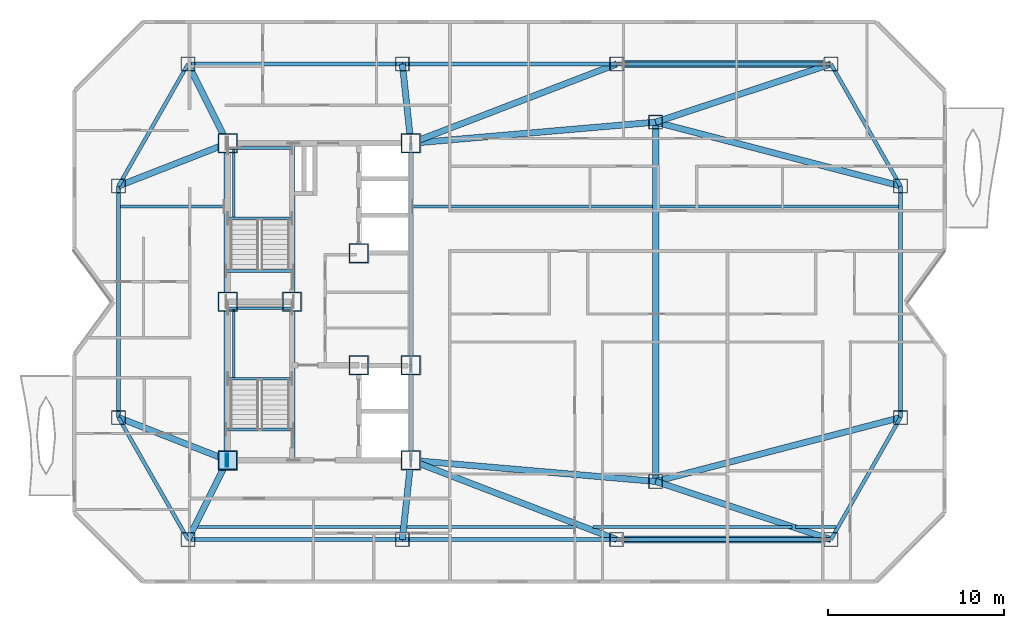
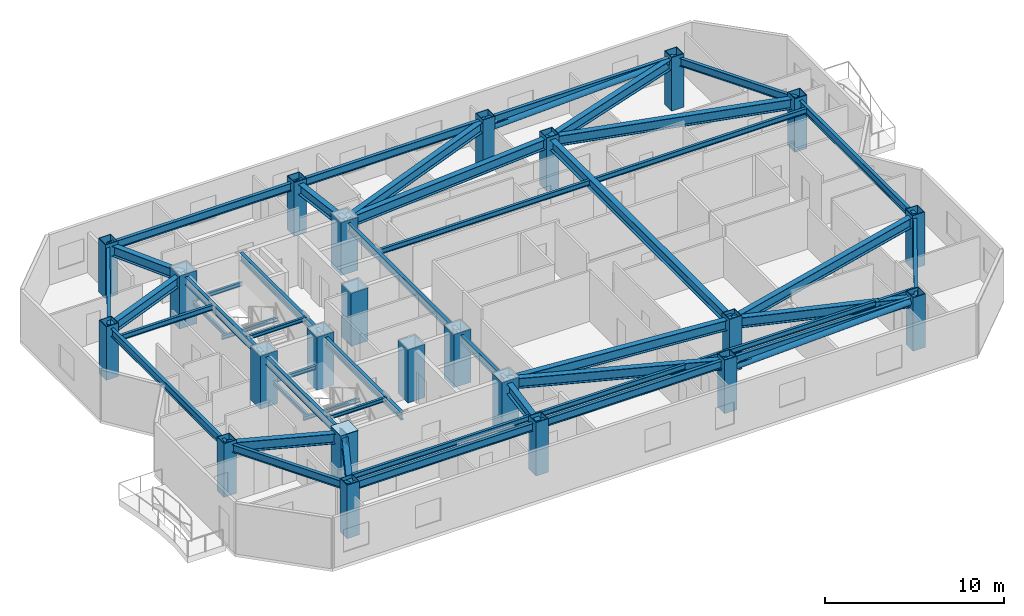
# One storey, part 1 of 10: 48 beams, 23 columns, 3 plates, 2 members.
"""IFC4 building model written with IfcOpenShell, lengths in metres."""

from ifc_helpers import new_model, si_unit, direction, frame, origin, origin_2d, place, context, subcontext, project, spatial, rectangle, hollow_rectangle, hollow_circle, i_section, extrude, material, layer, layer_set, material_profile, profile_set, type_object, element, save


model = new_model("IFC4")

# Units and contexts
model_context = context("Model", 3, precision=1e-05, world=origin(), true_north=direction((0.0, 1.0)))
body_context = subcontext(model_context, "Body", "Model", "MODEL_VIEW")
ifc_project = project(units=[si_unit("LENGTHUNIT", "METRE"), si_unit("AREAUNIT", "SQUARE_METRE"), si_unit("VOLUMEUNIT", "CUBIC_METRE"), si_unit("PLANEANGLEUNIT", "RADIAN"), si_unit("MASSUNIT", "GRAM", prefix="KILO")], contexts=[model_context])

# Site, building, storey
site_placement = place(None, origin())
site = spatial("IfcSite", under=ifc_project, at=site_placement, CompositionType="ELEMENT")
building_placement = place(site_placement, origin())
building = spatial("IfcBuilding", under=site, at=building_placement, Name="Khamvora Tower", CompositionType="ELEMENT")
storey_placement = place(building_placement, frame((0.0, 0.0, 228.14990234375)))
storey = spatial("IfcBuildingStorey", under=building, at=storey_placement, Name="L58", CompositionType="ELEMENT", Elevation=228.14990234375)

# Columns
ifc_material_1 = material(Name="Steel S460", Category="steel")
ifc_material_profile_1 = material_profile(ifc_material_1, hollow_rectangle(XDim=1.10009765625, YDim=1.10009765625, WallThickness=0.054931640625, at=origin_2d()), Name="BOX1100x1100x55")
ifc_profile_set_1 = profile_set([ifc_material_profile_1], Name="Steel S460")
column_type_1 = type_object("IfcColumnType", Name="COL-BOX1100", PredefinedType="COLUMN", material=ifc_profile_set_1)
for number, where, z_axis, x_axis, name in (
    (1, (29.0, 19.0, 0.0), (0.0, 0.0, 1.0), (1.0, 0.0, 0.0), "L58 plumb core spine column SC1"),
    (2, (32.64990234375, 28.0, 0.0), (0.0, 0.0, 1.0), (1.0, 0.0, 0.0), "L58 plumb core spine column SC2"),
    (3, (39.39990234375, 19.0, 0.0), (0.0, 0.0, 1.0), (1.0, 0.0, 0.0), "L58 plumb core spine column SC3"),
    (4, (29.0, 28.0, 0.0), (0.0, 0.0, 1.0), (1.0, 0.0, 0.0), "L58 plumb core spine column SC4"),
    (5, (36.449951171875, 24.39990234375, 0.0), (0.0, 0.0, 1.0), (1.0, 0.0, 0.0), "L58 plumb core spine column SC5"),
    (6, (39.39990234375, 24.39990234375, 0.0), (0.0, 0.0, 1.0), (1.0, 0.0, 0.0), "L58 plumb core spine column SC6"),
    (7, (29.0, 37.0, 0.0), (0.0, 0.0, 1.0), (1.0, 0.0, 0.0), "L58 plumb core spine column SC7"),
    (8, (36.449951171875, 30.75, 0.0), (0.0, 0.0, 1.0), (1.0, 0.0, 0.0), "L58 plumb core spine column SC8"),
    (9, (39.39990234375, 37.0, 0.0), (0.0, 0.0, 1.0), (1.0, 0.0, 0.0), "L58 plumb core spine column SC9"),
):
    element("IfcColumn", number, at=place(storey_placement, frame(where, z_axis=z_axis, x_axis=x_axis)), inside=storey, type_object=column_type_1, Name=name, PredefinedType="COLUMN", context=body_context, shape_type="SweptSolid", body=[
        extrude(hollow_rectangle(XDim=1.10009765625, YDim=1.10009765625, WallThickness=0.054931640625, at=origin_2d()), origin(), (0.0, 0.0, 1.0), 3.625),
    ])
ifc_material_2 = material(Name="Steel S355", Category="steel")
ifc_material_profile_2 = material_profile(ifc_material_2, hollow_rectangle(XDim=0.800048828125, YDim=0.800048828125, WallThickness=0.0400390625, at=origin_2d()), Name="BOX800x800x40")
ifc_profile_set_2 = profile_set([ifc_material_profile_2], Name="Steel S355")
column_type_2 = type_object("IfcColumnType", Name="COL-BOX800", PredefinedType="COLUMN", material=ifc_profile_set_2)
for number, where, z_axis, x_axis, name in (
    (10, (26.75, 14.5, 0.0), (0.0, 0.0, 1.0), (1.0, 0.0, 0.0), "L58 structural frame column S1"),
    (11, (38.9169921875, 14.5, 0.0), (0.0, 0.0, 1.0), (1.0, 0.0, 0.0), "L58 structural frame column S2"),
    (12, (51.0830078125, 14.5, 0.0), (0.0, 0.0, 1.0), (1.0, 0.0, 0.0), "L58 structural frame column S3"),
    (13, (63.25, 14.5, 0.0), (0.0, 0.0, 1.0), (1.0, 0.0, 0.0), "L58 structural frame column S4"),
    (14, (26.75, 41.5, 0.0), (0.0, 0.0, 1.0), (1.0, 0.0, 0.0), "L58 structural frame column N1"),
    (15, (38.9169921875, 41.5, 0.0), (0.0, 0.0, 1.0), (1.0, 0.0, 0.0), "L58 structural frame column N2"),
    (16, (51.0830078125, 41.5, 0.0), (0.0, 0.0, 1.0), (1.0, 0.0, 0.0), "L58 structural frame column N3"),
    (17, (63.25, 41.5, 0.0), (0.0, 0.0, 1.0), (1.0, 0.0, 0.0), "L58 structural frame column N4"),
    (18, (22.800048828125, 21.425048828125, 0.0), (0.0, 0.0, 1.0), (1.0, 0.0, 0.0), "L58 structural frame column W1"),
    (19, (22.800048828125, 34.574951171875, 0.0), (0.0, 0.0, 1.0), (1.0, 0.0, 0.0), "L58 structural frame column W2"),
    (20, (67.199951171875, 21.425048828125, 0.0), (0.0, 0.0, 1.0), (1.0, 0.0, 0.0), "L58 structural frame column E1"),
    (21, (67.199951171875, 34.574951171875, 0.0), (0.0, 0.0, 1.0), (1.0, 0.0, 0.0), "L58 structural frame column E2"),
    (22, (53.300048828125, 17.800048828125, 0.0), (0.0, 0.0, 1.0), (1.0, 0.0, 0.0), "L58 structural frame column M1"),
    (23, (53.300048828125, 38.199951171875, 0.0), (0.0, 0.0, 1.0), (1.0, 0.0, 0.0), "L58 structural frame column M2"),
):
    element("IfcColumn", number, at=place(storey_placement, frame(where, z_axis=z_axis, x_axis=x_axis)), inside=storey, type_object=column_type_2, Name=name, PredefinedType="COLUMN", context=body_context, shape_type="SweptSolid", body=[
        extrude(hollow_rectangle(XDim=0.800048828125, YDim=0.800048828125, WallThickness=0.0400390625, at=origin_2d()), origin(), (0.0, 0.0, 1.0), 3.650146484375),
    ])

# Beams
ifc_material_profile_3 = material_profile(ifc_material_2, i_section(OverallWidth=0.1708984375, OverallDepth=0.35498046875, WebThickness=0.007080078125, FlangeThickness=0.011962890625, FilletRadius=0.010009765625, at=origin_2d()), Name="W360x51")
ifc_profile_set_3 = profile_set([ifc_material_profile_3], Name="Steel S355")
beam_type_1 = type_object("IfcBeamType", Name="BM-JS-W360x51", PredefinedType="JOIST", material=ifc_profile_set_3)
beam_1_placement = place(storey_placement, frame((27.29296875, 15.199951171875, 3.253173828125), z_axis=(1.0, 0.0, 0.0), x_axis=(0.0, 1.0, 0.0)))
element("IfcBeam", 24, at=beam_1_placement, inside=storey, type_object=beam_type_1, Name="L58 secondary floor joist 01", PredefinedType="JOIST", context=body_context, shape_type="SweptSolid", body=[
    extrude(i_section(OverallWidth=0.1708984375, OverallDepth=0.35498046875, WebThickness=0.007080078125, FlangeThickness=0.011962890625, FilletRadius=0.010009765625, at=origin_2d()), origin(), (0.0, 0.0, 1.0), 11.526123046875),
])
beam_2_placement = place(storey_placement, frame((39.166015625, 15.199951171875, 3.253173828125), z_axis=(1.0, 0.0, 0.0), x_axis=(0.0, 1.0, 0.0)))
element("IfcBeam", 25, at=beam_2_placement, inside=storey, type_object=beam_type_1, Name="L58 secondary floor joist 02", PredefinedType="JOIST", context=body_context, shape_type="SweptSolid", body=[
    extrude(i_section(OverallWidth=0.1708984375, OverallDepth=0.35498046875, WebThickness=0.007080078125, FlangeThickness=0.011962890625, FilletRadius=0.010009765625, at=origin_2d()), origin(), (0.0, 0.0, 1.0), 9.611083984375),
])
beam_3_placement = place(storey_placement, frame((49.75390625, 15.199951171875, 3.253173828125), z_axis=(1.0, 0.0, 0.0), x_axis=(0.0, 1.0, 0.0)))
element("IfcBeam", 26, at=beam_3_placement, inside=storey, type_object=beam_type_1, Name="L58 secondary floor joist 03", PredefinedType="JOIST", context=body_context, shape_type="SweptSolid", body=[
    extrude(i_section(OverallWidth=0.1708984375, OverallDepth=0.35498046875, WebThickness=0.007080078125, FlangeThickness=0.011962890625, FilletRadius=0.010009765625, at=origin_2d()), origin(), (0.0, 0.0, 1.0), 11.2900390625),
])
beam_4_placement = place(storey_placement, frame((61.23388671875, 15.199951171875, 3.253173828125), z_axis=(1.0, 0.0, 0.0), x_axis=(0.0, 1.0, 0.0)))
element("IfcBeam", 27, at=beam_4_placement, inside=storey, type_object=beam_type_1, Name="L58 secondary floor joist 04", PredefinedType="JOIST", context=body_context, shape_type="SweptSolid", body=[
    extrude(i_section(OverallWidth=0.1708984375, OverallDepth=0.35498046875, WebThickness=0.007080078125, FlangeThickness=0.011962890625, FilletRadius=0.010009765625, at=origin_2d()), origin(), (0.0, 0.0, 1.0), 2.300048828125),
])
beam_5_placement = place(storey_placement, frame((22.89892578125, 33.39990234375, 3.253173828125), z_axis=(1.0, 0.0, 0.0), x_axis=(0.0, 1.0, 0.0)))
element("IfcBeam", 28, at=beam_5_placement, inside=storey, type_object=beam_type_1, Name="L58 secondary floor joist 05", PredefinedType="JOIST", context=body_context, shape_type="SweptSolid", body=[
    extrude(i_section(OverallWidth=0.1708984375, OverallDepth=0.35498046875, WebThickness=0.007080078125, FlangeThickness=0.011962890625, FilletRadius=0.010009765625, at=origin_2d()), origin(), (0.0, 0.0, 1.0), 5.901123046875),
])
beam_6_placement = place(storey_placement, frame((39.4990234375, 33.39990234375, 3.253173828125), z_axis=(1.0, 0.0, 0.0), x_axis=(0.0, 1.0, 0.0)))
element("IfcBeam", 29, at=beam_6_placement, inside=storey, type_object=beam_type_1, Name="L58 secondary floor joist 06", PredefinedType="JOIST", context=body_context, shape_type="SweptSolid", body=[
    extrude(i_section(OverallWidth=0.1708984375, OverallDepth=0.35498046875, WebThickness=0.007080078125, FlangeThickness=0.011962890625, FilletRadius=0.010009765625, at=origin_2d()), origin(), (0.0, 0.0, 1.0), 13.6279296875),
])
beam_7_placement = place(storey_placement, frame((53.471923828125, 33.39990234375, 3.253173828125), z_axis=(1.0, 0.0, 0.0), x_axis=(0.0, 1.0, 0.0)))
element("IfcBeam", 30, at=beam_7_placement, inside=storey, type_object=beam_type_1, Name="L58 secondary floor joist 07", PredefinedType="JOIST", context=body_context, shape_type="SweptSolid", body=[
    extrude(i_section(OverallWidth=0.1708984375, OverallDepth=0.35498046875, WebThickness=0.007080078125, FlangeThickness=0.011962890625, FilletRadius=0.010009765625, at=origin_2d()), origin(), (0.0, 0.0, 1.0), 13.628173828125),
])
ifc_material_profile_4 = material_profile(ifc_material_2, i_section(OverallWidth=0.14697265625, OverallDepth=0.261962890625, WebThickness=0.007080078125, FlangeThickness=0.010986328125, FilletRadius=0.008056640625, at=origin_2d()), Name="W250x39")
ifc_profile_set_4 = profile_set([ifc_material_profile_4], Name="Steel S355")
beam_type_2 = type_object("IfcBeamType", Name="BM-LN-W250x39", PredefinedType="LINTEL", material=ifc_profile_set_4)
for number, where, z_axis, x_axis, name in (
    (31, (29.0, 23.635009765625, 1.494140625), (1.0, 0.0, 0.0), (0.0, 1.0, 0.0), "L58 ST-01 half-landing support beam 1.1"),
    (32, (29.0, 27.6298828125, 1.494140625), (1.0, 0.0, 0.0), (0.0, 1.0, 0.0), "L58 ST-01 half-landing support beam 1.2"),
):
    element("IfcBeam", number, at=place(storey_placement, frame(where, z_axis=z_axis, x_axis=x_axis)), inside=storey, type_object=beam_type_2, Name=name, PredefinedType="LINTEL", context=body_context, shape_type="SweptSolid", body=[
        extrude(i_section(OverallWidth=0.14697265625, OverallDepth=0.261962890625, WebThickness=0.007080078125, FlangeThickness=0.010986328125, FilletRadius=0.008056640625, at=origin_2d()), origin(), (0.0, 0.0, 1.0), 3.64990234375),
    ])
beam_8_placement = place(storey_placement, frame((29.35009765625, 23.635009765625, 1.494140625), z_axis=(0.0, 1.0, 0.0), x_axis=(-1.0, 0.0, 0.0)))
element("IfcBeam", 33, at=beam_8_placement, inside=storey, type_object=beam_type_2, Name="L58 ST-01 half-landing edge stringer 1", PredefinedType="LINTEL", context=body_context, shape_type="SweptSolid", body=[
    extrude(i_section(OverallWidth=0.14697265625, OverallDepth=0.261962890625, WebThickness=0.007080078125, FlangeThickness=0.010986328125, FilletRadius=0.008056640625, at=origin_2d()), origin(), (0.0, 0.0, 1.0), 3.994873046875),
])
for number, where, z_axis, x_axis, name in (
    (34, (29.0, 32.735107421875, 1.494140625), (1.0, 0.0, 0.0), (0.0, 1.0, 0.0), "L58 ST-02 half-landing support beam 1.1"),
    (35, (29.0, 36.72998046875, 1.494140625), (1.0, 0.0, 0.0), (0.0, 1.0, 0.0), "L58 ST-02 half-landing support beam 1.2"),
):
    element("IfcBeam", number, at=place(storey_placement, frame(where, z_axis=z_axis, x_axis=x_axis)), inside=storey, type_object=beam_type_2, Name=name, PredefinedType="LINTEL", context=body_context, shape_type="SweptSolid", body=[
        extrude(i_section(OverallWidth=0.14697265625, OverallDepth=0.261962890625, WebThickness=0.007080078125, FlangeThickness=0.010986328125, FilletRadius=0.008056640625, at=origin_2d()), origin(), (0.0, 0.0, 1.0), 3.64990234375),
    ])
beam_9_placement = place(storey_placement, frame((29.35009765625, 32.735107421875, 1.494140625), z_axis=(0.0, 1.0, 0.0), x_axis=(-1.0, 0.0, 0.0)))
element("IfcBeam", 36, at=beam_9_placement, inside=storey, type_object=beam_type_2, Name="L58 ST-02 half-landing edge stringer 1", PredefinedType="LINTEL", context=body_context, shape_type="SweptSolid", body=[
    extrude(i_section(OverallWidth=0.14697265625, OverallDepth=0.261962890625, WebThickness=0.007080078125, FlangeThickness=0.010986328125, FilletRadius=0.008056640625, at=origin_2d()), origin(), (0.0, 0.0, 1.0), 3.994873046875),
])
for number, where, z_axis, x_axis, name in (
    (37, (28.89990234375, 20.75, 3.30419921875), (1.0, 0.0, 0.0), (0.0, 1.0, 0.0), "L58 exit stair ST-01 landing trimmer beam"),
    (38, (28.89990234375, 29.75, 3.30419921875), (1.0, 0.0, 0.0), (0.0, 1.0, 0.0), "L58 exit stair ST-02 landing trimmer beam"),
):
    element("IfcBeam", number, at=place(storey_placement, frame(where, z_axis=z_axis, x_axis=x_axis)), inside=storey, type_object=beam_type_2, Name=name, PredefinedType="LINTEL", context=body_context, shape_type="SweptSolid", body=[
        extrude(i_section(OverallWidth=0.14697265625, OverallDepth=0.261962890625, WebThickness=0.007080078125, FlangeThickness=0.010986328125, FilletRadius=0.008056640625, at=origin_2d()), origin(), (0.0, 0.0, 1.0), 3.830078125),
    ])
ifc_material_profile_5 = material_profile(ifc_material_2, i_section(OverallWidth=0.35498046875, OverallDepth=0.695068359375, WebThickness=0.014892578125, FlangeThickness=0.02490234375, FilletRadius=0.01611328125, at=origin_2d()), Name="W690x217")
ifc_profile_set_5 = profile_set([ifc_material_profile_5], Name="Steel S355")
beam_type_3 = type_object("IfcBeamType", Name="BM-PG-W690x217", PredefinedType="BEAM", material=ifc_profile_set_5)
beam_10_placement = place(storey_placement, frame((53.300048828125, 17.800048828125, 3.0830078125), z_axis=(0.0, 1.0, 0.0), x_axis=(-1.0, 0.0, 0.0)))
element("IfcBeam", 39, at=beam_10_placement, inside=storey, type_object=beam_type_3, Name="L58 longitudinal frame girder M1-M2", PredefinedType="BEAM", context=body_context, shape_type="SweptSolid", body=[
    extrude(i_section(OverallWidth=0.35498046875, OverallDepth=0.695068359375, WebThickness=0.014892578125, FlangeThickness=0.02490234375, FilletRadius=0.01611328125, at=origin_2d()), origin(), (0.0, 0.0, 1.0), 20.39990234375),
])
beam_11_placement = place(storey_placement, frame((29.0, 19.0, 3.0830078125), z_axis=(-0.4472135955, -0.894427191, 0.0), x_axis=(0.894427191, -0.4472135955, 0.0)))
element("IfcBeam", 40, at=beam_11_placement, inside=storey, type_object=beam_type_3, Name="L58 primary floor girder S1", PredefinedType="BEAM", context=body_context, shape_type="SweptSolid", body=[
    extrude(i_section(OverallWidth=0.35498046875, OverallDepth=0.695068359375, WebThickness=0.014892578125, FlangeThickness=0.02490234375, FilletRadius=0.01611328125, at=origin_2d()), origin(), (0.0, 0.0, 1.0), 5.03125),
])
beam_12_placement = place(storey_placement, frame((39.39990234375, 19.0, 3.0830078125), z_axis=(-0.106700735484, -0.994291181218, 0.0), x_axis=(0.994291181218, -0.106700735484, 0.0)))
element("IfcBeam", 41, at=beam_12_placement, inside=storey, type_object=beam_type_3, Name="L58 primary floor girder S2", PredefinedType="BEAM", context=body_context, shape_type="SweptSolid", body=[
    extrude(i_section(OverallWidth=0.35498046875, OverallDepth=0.695068359375, WebThickness=0.014892578125, FlangeThickness=0.02490234375, FilletRadius=0.01611328125, at=origin_2d()), origin(), (0.0, 0.0, 1.0), 4.52587890625),
])
beam_13_placement = place(storey_placement, frame((39.39990234375, 19.0, 3.0830078125), z_axis=(0.933171601475, -0.359431164759, 0.0), x_axis=(0.359431164759, 0.933171601475, 0.0)))
element("IfcBeam", 42, at=beam_13_placement, inside=storey, type_object=beam_type_3, Name="L58 primary floor girder S3", PredefinedType="BEAM", context=body_context, shape_type="SweptSolid", body=[
    extrude(i_section(OverallWidth=0.35498046875, OverallDepth=0.695068359375, WebThickness=0.014892578125, FlangeThickness=0.02490234375, FilletRadius=0.01611328125, at=origin_2d()), origin(), (0.0, 0.0, 1.0), 12.519775390625),
])
beam_14_placement = place(storey_placement, frame((53.300048828125, 17.800048828125, 3.0830078125), z_axis=(0.949157330029, -0.314802101092, 0.0), x_axis=(0.314802101092, 0.949157330029, 0.0)))
element("IfcBeam", 43, at=beam_14_placement, inside=storey, type_object=beam_type_3, Name="L58 primary floor girder S4", PredefinedType="BEAM", context=body_context, shape_type="SweptSolid", body=[
    extrude(i_section(OverallWidth=0.35498046875, OverallDepth=0.695068359375, WebThickness=0.014892578125, FlangeThickness=0.02490234375, FilletRadius=0.01611328125, at=origin_2d()), origin(), (0.0, 0.0, 1.0), 10.48291015625),
])
beam_15_placement = place(storey_placement, frame((29.0, 37.0, 3.0830078125), z_axis=(-0.4472135955, 0.894427191, 0.0), x_axis=(-0.894427191, -0.4472135955, 0.0)))
element("IfcBeam", 44, at=beam_15_placement, inside=storey, type_object=beam_type_3, Name="L58 primary floor girder N1", PredefinedType="BEAM", context=body_context, shape_type="SweptSolid", body=[
    extrude(i_section(OverallWidth=0.35498046875, OverallDepth=0.695068359375, WebThickness=0.014892578125, FlangeThickness=0.02490234375, FilletRadius=0.01611328125, at=origin_2d()), origin(), (0.0, 0.0, 1.0), 5.03125),
])
beam_16_placement = place(storey_placement, frame((39.39990234375, 37.0, 3.0830078125), z_axis=(-0.106700735484, 0.994291181218, 0.0), x_axis=(-0.994291181218, -0.106700735484, 0.0)))
element("IfcBeam", 45, at=beam_16_placement, inside=storey, type_object=beam_type_3, Name="L58 primary floor girder N2", PredefinedType="BEAM", context=body_context, shape_type="SweptSolid", body=[
    extrude(i_section(OverallWidth=0.35498046875, OverallDepth=0.695068359375, WebThickness=0.014892578125, FlangeThickness=0.02490234375, FilletRadius=0.01611328125, at=origin_2d()), origin(), (0.0, 0.0, 1.0), 4.52587890625),
])
beam_17_placement = place(storey_placement, frame((39.39990234375, 37.0, 3.0830078125), z_axis=(0.933171601475, 0.359431164759, 0.0), x_axis=(-0.359431164759, 0.933171601475, 0.0)))
element("IfcBeam", 46, at=beam_17_placement, inside=storey, type_object=beam_type_3, Name="L58 primary floor girder N3", PredefinedType="BEAM", context=body_context, shape_type="SweptSolid", body=[
    extrude(i_section(OverallWidth=0.35498046875, OverallDepth=0.695068359375, WebThickness=0.014892578125, FlangeThickness=0.02490234375, FilletRadius=0.01611328125, at=origin_2d()), origin(), (0.0, 0.0, 1.0), 12.519775390625),
])
beam_18_placement = place(storey_placement, frame((53.300048828125, 38.199951171875, 3.0830078125), z_axis=(0.949157330029, 0.314802101092, 0.0), x_axis=(-0.314802101092, 0.949157330029, 0.0)))
element("IfcBeam", 47, at=beam_18_placement, inside=storey, type_object=beam_type_3, Name="L58 primary floor girder N4", PredefinedType="BEAM", context=body_context, shape_type="SweptSolid", body=[
    extrude(i_section(OverallWidth=0.35498046875, OverallDepth=0.695068359375, WebThickness=0.014892578125, FlangeThickness=0.02490234375, FilletRadius=0.01611328125, at=origin_2d()), origin(), (0.0, 0.0, 1.0), 10.48291015625),
])
for number, where, z_axis, x_axis, name in (
    (48, (29.0, 19.0, 3.0830078125), (-0.931294712743, 0.36426660294, 0.0), (-0.36426660294, -0.931294712743, 0.0), "L58 primary floor girder W1"),
    (49, (29.0, 37.0, 3.0830078125), (-0.931294712743, -0.36426660294, 0.0), (0.36426660294, -0.931294712743, 0.0), "L58 primary floor girder W2"),
):
    element("IfcBeam", number, at=place(storey_placement, frame(where, z_axis=z_axis, x_axis=x_axis)), inside=storey, type_object=beam_type_3, Name=name, PredefinedType="BEAM", context=body_context, shape_type="SweptSolid", body=[
        extrude(i_section(OverallWidth=0.35498046875, OverallDepth=0.695068359375, WebThickness=0.014892578125, FlangeThickness=0.02490234375, FilletRadius=0.01611328125, at=origin_2d()), origin(), (0.0, 0.0, 1.0), 6.6572265625),
    ])
for number, where, z_axis, x_axis, name in (
    (50, (53.300048828125, 17.800048828125, 3.0830078125), (0.967635318494, 0.252352710314, 0.0), (-0.252352710314, 0.967635318494, 0.0), "L58 primary floor girder E1"),
    (51, (53.300048828125, 38.199951171875, 3.0830078125), (0.967635318494, -0.252352710314, 0.0), (0.252352710314, 0.967635318494, 0.0), "L58 primary floor girder E2"),
):
    element("IfcBeam", number, at=place(storey_placement, frame(where, z_axis=z_axis, x_axis=x_axis)), inside=storey, type_object=beam_type_3, Name=name, PredefinedType="BEAM", context=body_context, shape_type="SweptSolid", body=[
        extrude(i_section(OverallWidth=0.35498046875, OverallDepth=0.695068359375, WebThickness=0.014892578125, FlangeThickness=0.02490234375, FilletRadius=0.01611328125, at=origin_2d()), origin(), (0.0, 0.0, 1.0), 14.36474609375),
    ])
for number, where, z_axis, x_axis, name in (
    (52, (39.39990234375, 19.0, 3.0830078125), (0.996294564212, -0.08600663534, 0.0), (0.08600663534, 0.996294564212, 0.0), "L58 primary floor girder M1"),
    (53, (39.39990234375, 37.0, 3.0830078125), (0.996294564212, 0.08600663534, 0.0), (-0.08600663534, 0.996294564212, 0.0), "L58 primary floor girder M2"),
):
    element("IfcBeam", number, at=place(storey_placement, frame(where, z_axis=z_axis, x_axis=x_axis)), inside=storey, type_object=beam_type_3, Name=name, PredefinedType="BEAM", context=body_context, shape_type="SweptSolid", body=[
        extrude(i_section(OverallWidth=0.35498046875, OverallDepth=0.695068359375, WebThickness=0.014892578125, FlangeThickness=0.02490234375, FilletRadius=0.01611328125, at=origin_2d()), origin(), (0.0, 0.0, 1.0), 13.951904296875),
    ])
ifc_material_profile_6 = material_profile(ifc_material_2, i_section(OverallWidth=0.208984375, OverallDepth=0.532958984375, WebThickness=0.010009765625, FlangeThickness=0.01611328125, FilletRadius=0.013916015625, at=origin_2d()), Name="W530x92")
ifc_profile_set_6 = profile_set([ifc_material_profile_6], Name="Steel S355")
beam_type_4 = type_object("IfcBeamType", Name="BM-SP-W530x92", PredefinedType="SPANDREL", material=ifc_profile_set_6)
beam_19_placement = place(storey_placement, frame((22.800048828125, 21.425048828125, 3.1640625), z_axis=(0.495456118564, -0.868632968853, 0.0), x_axis=(0.868632968853, 0.495456118564, 0.0)))
element("IfcBeam", 54, at=beam_19_placement, inside=storey, type_object=beam_type_4, Name="L58 perimeter spandrel beam W1-S1", PredefinedType="SPANDREL", context=body_context, shape_type="SweptSolid", body=[
    extrude(i_section(OverallWidth=0.208984375, OverallDepth=0.532958984375, WebThickness=0.010009765625, FlangeThickness=0.01611328125, FilletRadius=0.013916015625, at=origin_2d()), origin(), (0.0, 0.0, 1.0), 7.972412109375),
])
beam_20_placement = place(storey_placement, frame((26.75, 14.5, 3.1640625), z_axis=(1.0, 0.0, 0.0), x_axis=(0.0, 1.0, 0.0)))
element("IfcBeam", 55, at=beam_20_placement, inside=storey, type_object=beam_type_4, Name="L58 perimeter spandrel beam S1-S2", PredefinedType="SPANDREL", context=body_context, shape_type="SweptSolid", body=[
    extrude(i_section(OverallWidth=0.208984375, OverallDepth=0.532958984375, WebThickness=0.010009765625, FlangeThickness=0.01611328125, FilletRadius=0.013916015625, at=origin_2d()), origin(), (0.0, 0.0, 1.0), 12.1669921875),
])
beam_21_placement = place(storey_placement, frame((38.9169921875, 14.5, 3.1640625), z_axis=(1.0, 0.0, 0.0), x_axis=(0.0, 1.0, 0.0)))
element("IfcBeam", 56, at=beam_21_placement, inside=storey, type_object=beam_type_4, Name="L58 perimeter spandrel beam S2-S3", PredefinedType="SPANDREL", context=body_context, shape_type="SweptSolid", body=[
    extrude(i_section(OverallWidth=0.208984375, OverallDepth=0.532958984375, WebThickness=0.010009765625, FlangeThickness=0.01611328125, FilletRadius=0.013916015625, at=origin_2d()), origin(), (0.0, 0.0, 1.0), 12.166015625),
])
beam_22_placement = place(storey_placement, frame((51.0830078125, 14.5, 3.1640625), z_axis=(1.0, 0.0, 0.0), x_axis=(0.0, 1.0, 0.0)))
element("IfcBeam", 57, at=beam_22_placement, inside=storey, type_object=beam_type_4, Name="L58 perimeter spandrel beam S3-S4", PredefinedType="SPANDREL", context=body_context, shape_type="SweptSolid", body=[
    extrude(i_section(OverallWidth=0.208984375, OverallDepth=0.532958984375, WebThickness=0.010009765625, FlangeThickness=0.01611328125, FilletRadius=0.013916015625, at=origin_2d()), origin(), (0.0, 0.0, 1.0), 12.1669921875),
])
beam_23_placement = place(storey_placement, frame((63.25, 14.5, 3.1640625), z_axis=(0.495456118564, 0.868632968853, 0.0), x_axis=(-0.868632968853, 0.495456118564, 0.0)))
element("IfcBeam", 58, at=beam_23_placement, inside=storey, type_object=beam_type_4, Name="L58 perimeter spandrel beam S4-E1", PredefinedType="SPANDREL", context=body_context, shape_type="SweptSolid", body=[
    extrude(i_section(OverallWidth=0.208984375, OverallDepth=0.532958984375, WebThickness=0.010009765625, FlangeThickness=0.01611328125, FilletRadius=0.013916015625, at=origin_2d()), origin(), (0.0, 0.0, 1.0), 7.972412109375),
])
beam_24_placement = place(storey_placement, frame((67.199951171875, 21.425048828125, 3.1640625), z_axis=(0.0, 1.0, 0.0), x_axis=(-1.0, 0.0, 0.0)))
element("IfcBeam", 59, at=beam_24_placement, inside=storey, type_object=beam_type_4, Name="L58 perimeter spandrel beam E1-E2", PredefinedType="SPANDREL", context=body_context, shape_type="SweptSolid", body=[
    extrude(i_section(OverallWidth=0.208984375, OverallDepth=0.532958984375, WebThickness=0.010009765625, FlangeThickness=0.01611328125, FilletRadius=0.013916015625, at=origin_2d()), origin(), (0.0, 0.0, 1.0), 13.14990234375),
])
beam_25_placement = place(storey_placement, frame((67.199951171875, 34.574951171875, 3.1640625), z_axis=(-0.495456118564, 0.868632968853, 0.0), x_axis=(-0.868632968853, -0.495456118564, 0.0)))
element("IfcBeam", 60, at=beam_25_placement, inside=storey, type_object=beam_type_4, Name="L58 perimeter spandrel beam E2-N4", PredefinedType="SPANDREL", context=body_context, shape_type="SweptSolid", body=[
    extrude(i_section(OverallWidth=0.208984375, OverallDepth=0.532958984375, WebThickness=0.010009765625, FlangeThickness=0.01611328125, FilletRadius=0.013916015625, at=origin_2d()), origin(), (0.0, 0.0, 1.0), 7.972412109375),
])
beam_26_placement = place(storey_placement, frame((63.25, 41.5, 3.1640625), z_axis=(-1.0, 0.0, 0.0), x_axis=(0.0, -1.0, 0.0)))
element("IfcBeam", 61, at=beam_26_placement, inside=storey, type_object=beam_type_4, Name="L58 perimeter spandrel beam N4-N3", PredefinedType="SPANDREL", context=body_context, shape_type="SweptSolid", body=[
    extrude(i_section(OverallWidth=0.208984375, OverallDepth=0.532958984375, WebThickness=0.010009765625, FlangeThickness=0.01611328125, FilletRadius=0.013916015625, at=origin_2d()), origin(), (0.0, 0.0, 1.0), 12.1669921875),
])
beam_27_placement = place(storey_placement, frame((51.0830078125, 41.5, 3.1640625), z_axis=(-1.0, 0.0, 0.0), x_axis=(0.0, -1.0, 0.0)))
element("IfcBeam", 62, at=beam_27_placement, inside=storey, type_object=beam_type_4, Name="L58 perimeter spandrel beam N3-N2", PredefinedType="SPANDREL", context=body_context, shape_type="SweptSolid", body=[
    extrude(i_section(OverallWidth=0.208984375, OverallDepth=0.532958984375, WebThickness=0.010009765625, FlangeThickness=0.01611328125, FilletRadius=0.013916015625, at=origin_2d()), origin(), (0.0, 0.0, 1.0), 12.166015625),
])
beam_28_placement = place(storey_placement, frame((38.9169921875, 41.5, 3.1640625), z_axis=(-1.0, 0.0, 0.0), x_axis=(0.0, -1.0, 0.0)))
element("IfcBeam", 63, at=beam_28_placement, inside=storey, type_object=beam_type_4, Name="L58 perimeter spandrel beam N2-N1", PredefinedType="SPANDREL", context=body_context, shape_type="SweptSolid", body=[
    extrude(i_section(OverallWidth=0.208984375, OverallDepth=0.532958984375, WebThickness=0.010009765625, FlangeThickness=0.01611328125, FilletRadius=0.013916015625, at=origin_2d()), origin(), (0.0, 0.0, 1.0), 12.1669921875),
])
beam_29_placement = place(storey_placement, frame((26.75, 41.5, 3.1640625), z_axis=(-0.495456118564, -0.868632968853, 0.0), x_axis=(0.868632968853, -0.495456118564, 0.0)))
element("IfcBeam", 64, at=beam_29_placement, inside=storey, type_object=beam_type_4, Name="L58 perimeter spandrel beam N1-W2", PredefinedType="SPANDREL", context=body_context, shape_type="SweptSolid", body=[
    extrude(i_section(OverallWidth=0.208984375, OverallDepth=0.532958984375, WebThickness=0.010009765625, FlangeThickness=0.01611328125, FilletRadius=0.013916015625, at=origin_2d()), origin(), (0.0, 0.0, 1.0), 7.972412109375),
])
beam_30_placement = place(storey_placement, frame((22.800048828125, 34.574951171875, 3.1640625), z_axis=(0.0, -1.0, 0.0), x_axis=(1.0, 0.0, 0.0)))
element("IfcBeam", 65, at=beam_30_placement, inside=storey, type_object=beam_type_4, Name="L58 perimeter spandrel beam W2-W1", PredefinedType="SPANDREL", context=body_context, shape_type="SweptSolid", body=[
    extrude(i_section(OverallWidth=0.208984375, OverallDepth=0.532958984375, WebThickness=0.010009765625, FlangeThickness=0.01611328125, FilletRadius=0.013916015625, at=origin_2d()), origin(), (0.0, 0.0, 1.0), 13.14990234375),
])
for number, where, z_axis, x_axis, name in (
    (66, (28.89990234375, 19.0, 3.1640625), (0.0, 1.0, 0.0), (-1.0, 0.0, 0.0), "L58 core spine girder WS"),
    (67, (28.89990234375, 28.0, 3.1640625), (0.0, 1.0, 0.0), (-1.0, 0.0, 0.0), "L58 core spine girder WN"),
    (68, (32.72998046875, 19.0, 3.1640625), (0.0, 1.0, 0.0), (-1.0, 0.0, 0.0), "L58 core spine girder M1S"),
    (69, (32.72998046875, 28.0, 3.1640625), (0.0, 1.0, 0.0), (-1.0, 0.0, 0.0), "L58 core spine girder M1N"),
):
    element("IfcBeam", number, at=place(storey_placement, frame(where, z_axis=z_axis, x_axis=x_axis)), inside=storey, type_object=beam_type_4, Name=name, PredefinedType="SPANDREL", context=body_context, shape_type="SweptSolid", body=[
        extrude(i_section(OverallWidth=0.208984375, OverallDepth=0.532958984375, WebThickness=0.010009765625, FlangeThickness=0.01611328125, FilletRadius=0.013916015625, at=origin_2d()), origin(), (0.0, 0.0, 1.0), 9.0),
    ])
beam_31_placement = place(storey_placement, frame((39.39990234375, 19.0, 3.1640625), z_axis=(0.0, 1.0, 0.0), x_axis=(-1.0, 0.0, 0.0)))
element("IfcBeam", 70, at=beam_31_placement, inside=storey, type_object=beam_type_4, Name="L58 core spine girder ES", PredefinedType="SPANDREL", context=body_context, shape_type="SweptSolid", body=[
    extrude(i_section(OverallWidth=0.208984375, OverallDepth=0.532958984375, WebThickness=0.010009765625, FlangeThickness=0.01611328125, FilletRadius=0.013916015625, at=origin_2d()), origin(), (0.0, 0.0, 1.0), 5.39990234375),
])
beam_32_placement = place(storey_placement, frame((39.39990234375, 24.39990234375, 3.1640625), z_axis=(0.0, 1.0, 0.0), x_axis=(-1.0, 0.0, 0.0)))
element("IfcBeam", 71, at=beam_32_placement, inside=storey, type_object=beam_type_4, Name="L58 core spine girder EN", PredefinedType="SPANDREL", context=body_context, shape_type="SweptSolid", body=[
    extrude(i_section(OverallWidth=0.208984375, OverallDepth=0.532958984375, WebThickness=0.010009765625, FlangeThickness=0.01611328125, FilletRadius=0.013916015625, at=origin_2d()), origin(), (0.0, 0.0, 1.0), 12.60009765625),
])

# Members
ifc_material_profile_7 = material_profile(ifc_material_2, hollow_circle(Radius=0.202880859375, WallThickness=0.01611328125, at=origin_2d()), Name="CHS406x16")
ifc_profile_set_7 = profile_set([ifc_material_profile_7], Name="Steel S355")
member_type = type_object("IfcMemberType", Name="MEM-BR-CHS406", PredefinedType="BRACE", material=ifc_profile_set_7)
for number, where, z_axis, x_axis, name in (
    (72, (51.462890625, 14.5, 2.695068359375), (0.99920859267, 0.0, 0.039776731067), (0.0, 1.0, 0.0), "L58 perimeter wind brace 1"),
    (73, (51.462890625, 41.5, 2.695068359375), (0.99920859267, 0.0, 0.039776731067), (0.0, 1.0, 0.0), "L58 perimeter wind brace 2"),
):
    element("IfcMember", number, at=place(storey_placement, frame(where, z_axis=z_axis, x_axis=x_axis)), inside=storey, type_object=member_type, Name=name, PredefinedType="BRACE", context=body_context, shape_type="SweptSolid", body=[
        extrude(hollow_circle(Radius=0.202880859375, WallThickness=0.01611328125, at=origin_2d()), origin(), (0.0, 0.0, 1.0), 11.416259765625),
    ])

# Plates
ifc_layer_1 = layer(ifc_material_2, 0.02490234375)
ifc_layer_set_1 = layer_set([ifc_layer_1], Name="Steel S355")
plate_type_1 = type_object("IfcPlateType", Name="PL-CAP-25", PredefinedType="SHEET", material=ifc_layer_set_1)
plate_placement = place(storey_placement, frame((29.0, 19.0, 3.625732421875), z_axis=(0.0, 0.0, 1.0), x_axis=(1.0, 0.0, 0.0)))
element("IfcPlate", 74, at=plate_placement, inside=storey, type_object=plate_type_1, Name="L58 hollow section steel end cap plate 0004", PredefinedType="SHEET", context=body_context, shape_type="SweptSolid", body=[
    extrude(rectangle(XDim=1.1298828125, YDim=1.1298828125, at=origin_2d()), origin(), (0.0, 0.0, 1.0), 0.02490234375),
])
ifc_layer_2 = layer(ifc_material_1, 0.034912109375)
ifc_layer_set_2 = layer_set([ifc_layer_2], Name="Steel S460")
plate_type_2 = type_object("IfcPlateType", Name="PL-EMB-35", PredefinedType="SHEET", material=ifc_layer_set_2)
for number, where, z_axis, x_axis, name in (
    (75, (29.0, 19.0, 2.72314453125), (0.0, 0.0, 1.0), (1.0, 0.0, 0.0), "L58 core shear wall cast-in embed plate 1697"),
    (76, (28.89990234375, 19.0, 2.80419921875), (0.0, 0.0, 1.0), (1.0, 0.0, 0.0), "L58 core shear wall cast-in embed plate 1701"),
):
    element("IfcPlate", number, at=place(storey_placement, frame(where, z_axis=z_axis, x_axis=x_axis)), inside=storey, type_object=plate_type_2, Name=name, PredefinedType="SHEET", context=body_context, shape_type="SweptSolid", body=[
        extrude(rectangle(XDim=0.034912109375, YDim=0.719970703125, at=origin_2d()), origin(), (0.0, 0.0, 1.0), 0.719970703125),
    ])

save(model, "model.ifc")
